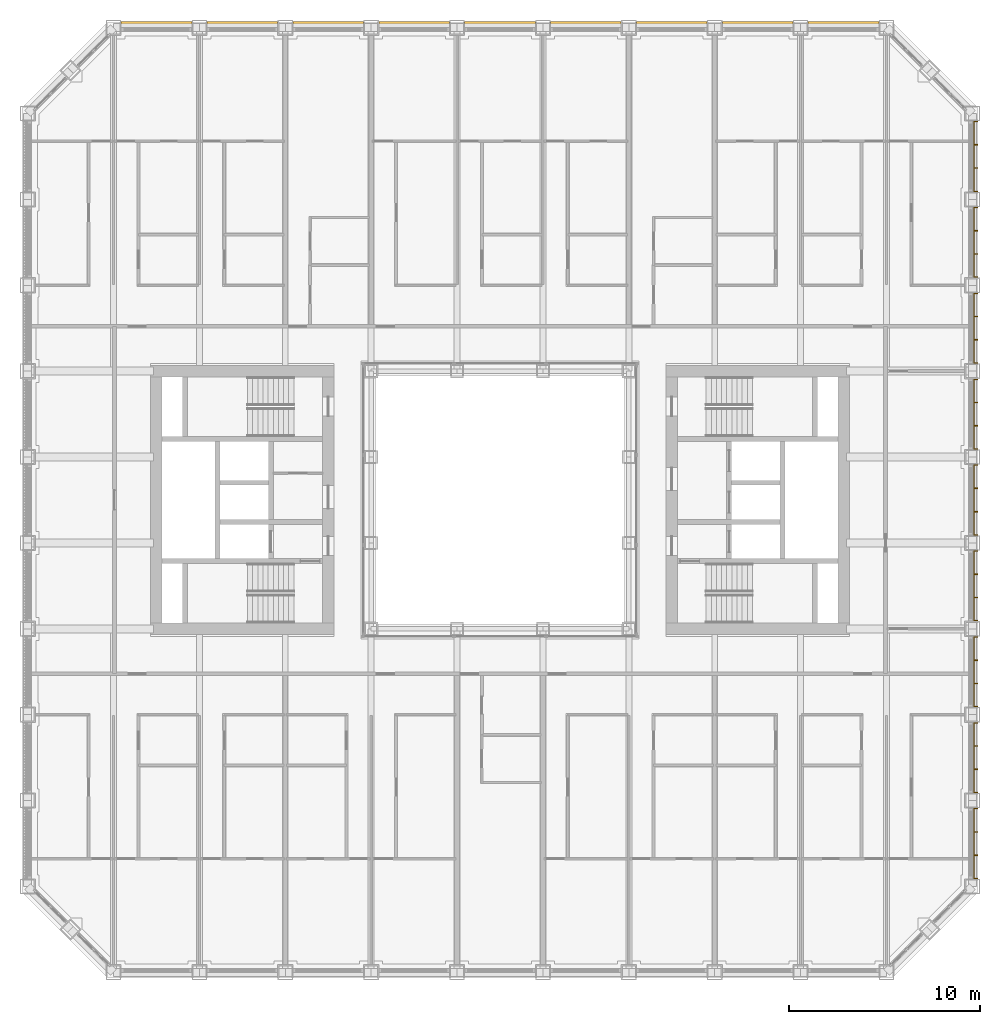
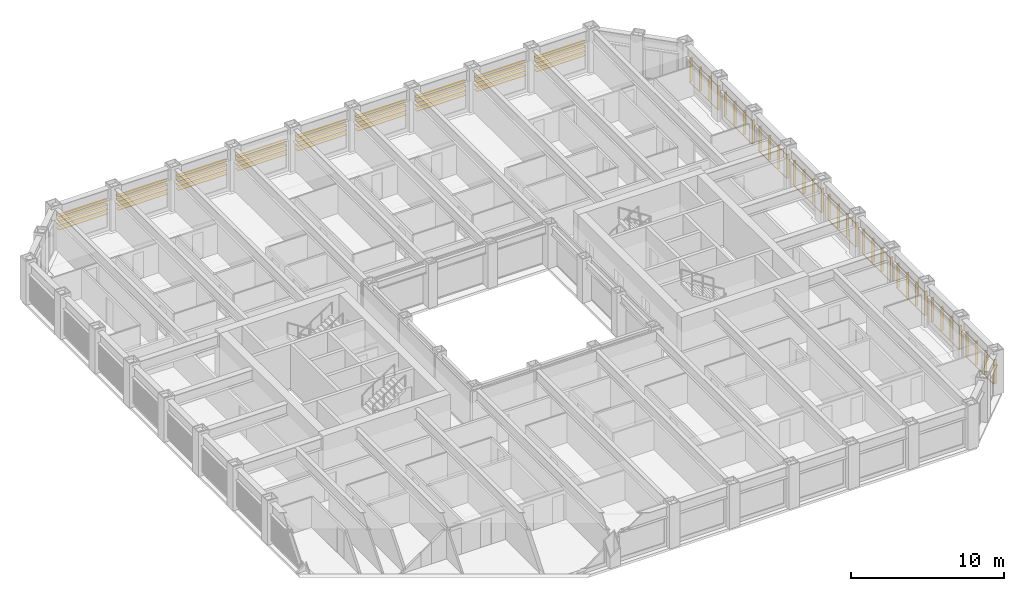
# One storey, part 20 of 20: 2 shading devices.
"""IFC4 building model written with IfcOpenShell, lengths in metres."""

from ifc_helpers import new_model, si_unit, direction, frame, origin, origin_2d, place, context, subcontext, project, spatial, rectangle, extrude, material, type_object, element, save


model = new_model("IFC4")

# Units and contexts
model_context = context("Model", 3, precision=1e-05, world=origin(), true_north=direction((0.0, 1.0)))
body_context = subcontext(model_context, "Body", "Model", "MODEL_VIEW")
ifc_project = project(units=[si_unit("LENGTHUNIT", "METRE"), si_unit("AREAUNIT", "SQUARE_METRE"), si_unit("VOLUMEUNIT", "CUBIC_METRE"), si_unit("PLANEANGLEUNIT", "RADIAN"), si_unit("MASSUNIT", "GRAM", prefix="KILO")], contexts=[model_context])

# Site, building, storey
site_placement = place(None, origin())
site = spatial("IfcSite", under=ifc_project, at=site_placement, CompositionType="ELEMENT")
building_placement = place(site_placement, origin())
building = spatial("IfcBuilding", under=site, at=building_placement, Name="Msasa Ring Tower", CompositionType="ELEMENT")
storey_placement = place(building_placement, frame((0.0, 0.0, 58.0)))
storey = spatial("IfcBuildingStorey", under=building, at=storey_placement, Name="L14", CompositionType="ELEMENT", Elevation=58.0)

# Shading devices
ifc_material_1 = material(Name="Extruded terracotta on aluminium carriers", Category="masonry")
shading_device_type_1 = type_object("IfcShadingDeviceType", Name="BS2 TERRACOTTA FIN SCREEN 40x200 AT 1350", PredefinedType="USERDEFINED", material=ifc_material_1)
shading_device_1_placement = place(storey_placement, origin())
element("IfcShadingDevice", 1, at=shading_device_1_placement, inside=storey, type_object=shading_device_type_1, Name="Terracotta fin screen E L14", ObjectType="BAGUETTE", PredefinedType="USERDEFINED", context=body_context, shape_type="SweptSolid", body=[
    extrude(rectangle(XDim=0.06005859375, YDim=0.0400390625, at=origin_2d()), frame((24.830078125, -19.85009765625, 0.330078125), z_axis=(0.0, 1.0, 0.0), x_axis=(0.0, 0.0, 1.0)), (0.0, 0.0, 1.0), 3.699951171875),
    extrude(rectangle(XDim=0.06005859375, YDim=0.0400390625, at=origin_2d()), frame((24.830078125, -19.85009765625, 2.198974609375), z_axis=(0.0, 1.0, 0.0), x_axis=(0.0, 0.0, 1.0)), (0.0, 0.0, 1.0), 3.699951171875),
    extrude(rectangle(XDim=0.0400390625, YDim=0.199951171875, at=origin_2d()), frame((24.945068359375, -19.830078125, 0.300048828125), z_axis=(0.0, 0.0, 1.0), x_axis=(0.0, 1.0, 0.0)), (0.0, 0.0, 1.0), 1.928955078125),
    extrude(rectangle(XDim=0.0400390625, YDim=0.199951171875, at=origin_2d()), frame((24.945068359375, -18.610107421875, 0.300048828125), z_axis=(0.0, 0.0, 1.0), x_axis=(0.0, 1.0, 0.0)), (0.0, 0.0, 1.0), 1.928955078125),
    extrude(rectangle(XDim=0.0400390625, YDim=0.199951171875, at=origin_2d()), frame((24.945068359375, -17.389892578125, 0.300048828125), z_axis=(0.0, 0.0, 1.0), x_axis=(0.0, 1.0, 0.0)), (0.0, 0.0, 1.0), 1.928955078125),
    extrude(rectangle(XDim=0.0400390625, YDim=0.199951171875, at=origin_2d()), frame((24.945068359375, -16.169921875, 0.300048828125), z_axis=(0.0, 0.0, 1.0), x_axis=(0.0, 1.0, 0.0)), (0.0, 0.0, 1.0), 1.928955078125),
    extrude(rectangle(XDim=0.06005859375, YDim=0.0400390625, at=origin_2d()), frame((24.830078125, -15.35009765625, 0.330078125), z_axis=(0.0, 1.0, 0.0), x_axis=(0.0, 0.0, 1.0)), (0.0, 0.0, 1.0), 3.699951171875),
    extrude(rectangle(XDim=0.06005859375, YDim=0.0400390625, at=origin_2d()), frame((24.830078125, -15.35009765625, 2.198974609375), z_axis=(0.0, 1.0, 0.0), x_axis=(0.0, 0.0, 1.0)), (0.0, 0.0, 1.0), 3.699951171875),
    extrude(rectangle(XDim=0.0400390625, YDim=0.199951171875, at=origin_2d()), frame((24.945068359375, -15.330078125, 0.300048828125), z_axis=(0.0, 0.0, 1.0), x_axis=(0.0, 1.0, 0.0)), (0.0, 0.0, 1.0), 1.928955078125),
    extrude(rectangle(XDim=0.0400390625, YDim=0.199951171875, at=origin_2d()), frame((24.945068359375, -14.110107421875, 0.300048828125), z_axis=(0.0, 0.0, 1.0), x_axis=(0.0, 1.0, 0.0)), (0.0, 0.0, 1.0), 1.928955078125),
    extrude(rectangle(XDim=0.0400390625, YDim=0.199951171875, at=origin_2d()), frame((24.945068359375, -12.889892578125, 0.300048828125), z_axis=(0.0, 0.0, 1.0), x_axis=(0.0, 1.0, 0.0)), (0.0, 0.0, 1.0), 1.928955078125),
    extrude(rectangle(XDim=0.0400390625, YDim=0.199951171875, at=origin_2d()), frame((24.945068359375, -11.669921875, 0.300048828125), z_axis=(0.0, 0.0, 1.0), x_axis=(0.0, 1.0, 0.0)), (0.0, 0.0, 1.0), 1.928955078125),
    extrude(rectangle(XDim=0.06005859375, YDim=0.0400390625, at=origin_2d()), frame((24.830078125, -10.85009765625, 0.330078125), z_axis=(0.0, 1.0, 0.0), x_axis=(0.0, 0.0, 1.0)), (0.0, 0.0, 1.0), 3.699951171875),
    extrude(rectangle(XDim=0.06005859375, YDim=0.0400390625, at=origin_2d()), frame((24.830078125, -10.85009765625, 2.198974609375), z_axis=(0.0, 1.0, 0.0), x_axis=(0.0, 0.0, 1.0)), (0.0, 0.0, 1.0), 3.699951171875),
    extrude(rectangle(XDim=0.0400390625, YDim=0.199951171875, at=origin_2d()), frame((24.945068359375, -10.830078125, 0.300048828125), z_axis=(0.0, 0.0, 1.0), x_axis=(0.0, 1.0, 0.0)), (0.0, 0.0, 1.0), 1.928955078125),
    extrude(rectangle(XDim=0.0400390625, YDim=0.199951171875, at=origin_2d()), frame((24.945068359375, -9.610107421875, 0.300048828125), z_axis=(0.0, 0.0, 1.0), x_axis=(0.0, 1.0, 0.0)), (0.0, 0.0, 1.0), 1.928955078125),
    extrude(rectangle(XDim=0.0400390625, YDim=0.199951171875, at=origin_2d()), frame((24.945068359375, -8.389892578125, 0.300048828125), z_axis=(0.0, 0.0, 1.0), x_axis=(0.0, 1.0, 0.0)), (0.0, 0.0, 1.0), 1.928955078125),
    extrude(rectangle(XDim=0.0400390625, YDim=0.199951171875, at=origin_2d()), frame((24.945068359375, -7.169921875, 0.300048828125), z_axis=(0.0, 0.0, 1.0), x_axis=(0.0, 1.0, 0.0)), (0.0, 0.0, 1.0), 1.928955078125),
    extrude(rectangle(XDim=0.06005859375, YDim=0.0400390625, at=origin_2d()), frame((24.830078125, -6.35009765625, 0.330078125), z_axis=(0.0, 1.0, 0.0), x_axis=(0.0, 0.0, 1.0)), (0.0, 0.0, 1.0), 3.699951171875),
    extrude(rectangle(XDim=0.06005859375, YDim=0.0400390625, at=origin_2d()), frame((24.830078125, -6.35009765625, 2.198974609375), z_axis=(0.0, 1.0, 0.0), x_axis=(0.0, 0.0, 1.0)), (0.0, 0.0, 1.0), 3.699951171875),
    extrude(rectangle(XDim=0.0400390625, YDim=0.199951171875, at=origin_2d()), frame((24.945068359375, -6.330078125, 0.300048828125), z_axis=(0.0, 0.0, 1.0), x_axis=(0.0, 1.0, 0.0)), (0.0, 0.0, 1.0), 1.928955078125),
    extrude(rectangle(XDim=0.0400390625, YDim=0.199951171875, at=origin_2d()), frame((24.945068359375, -5.110107421875, 0.300048828125), z_axis=(0.0, 0.0, 1.0), x_axis=(0.0, 1.0, 0.0)), (0.0, 0.0, 1.0), 1.928955078125),
    extrude(rectangle(XDim=0.0400390625, YDim=0.199951171875, at=origin_2d()), frame((24.945068359375, -3.889892578125, 0.300048828125), z_axis=(0.0, 0.0, 1.0), x_axis=(0.0, 1.0, 0.0)), (0.0, 0.0, 1.0), 1.928955078125),
    extrude(rectangle(XDim=0.0400390625, YDim=0.199951171875, at=origin_2d()), frame((24.945068359375, -2.669921875, 0.300048828125), z_axis=(0.0, 0.0, 1.0), x_axis=(0.0, 1.0, 0.0)), (0.0, 0.0, 1.0), 1.928955078125),
    extrude(rectangle(XDim=0.06005859375, YDim=0.0400390625, at=origin_2d()), frame((24.830078125, -1.85009765625, 0.330078125), z_axis=(0.0, 1.0, 0.0), x_axis=(0.0, 0.0, 1.0)), (0.0, 0.0, 1.0), 3.699951171875),
    extrude(rectangle(XDim=0.06005859375, YDim=0.0400390625, at=origin_2d()), frame((24.830078125, -1.85009765625, 2.198974609375), z_axis=(0.0, 1.0, 0.0), x_axis=(0.0, 0.0, 1.0)), (0.0, 0.0, 1.0), 3.699951171875),
    extrude(rectangle(XDim=0.0400390625, YDim=0.199951171875, at=origin_2d()), frame((24.945068359375, -1.830078125, 0.300048828125), z_axis=(0.0, 0.0, 1.0), x_axis=(0.0, 1.0, 0.0)), (0.0, 0.0, 1.0), 1.928955078125),
    extrude(rectangle(XDim=0.0400390625, YDim=0.199951171875, at=origin_2d()), frame((24.945068359375, -0.610107421875, 0.300048828125), z_axis=(0.0, 0.0, 1.0), x_axis=(0.0, 1.0, 0.0)), (0.0, 0.0, 1.0), 1.928955078125),
    extrude(rectangle(XDim=0.0400390625, YDim=0.199951171875, at=origin_2d()), frame((24.945068359375, 0.610107421875, 0.300048828125), z_axis=(0.0, 0.0, 1.0), x_axis=(0.0, 1.0, 0.0)), (0.0, 0.0, 1.0), 1.928955078125),
    extrude(rectangle(XDim=0.0400390625, YDim=0.199951171875, at=origin_2d()), frame((24.945068359375, 1.830078125, 0.300048828125), z_axis=(0.0, 0.0, 1.0), x_axis=(0.0, 1.0, 0.0)), (0.0, 0.0, 1.0), 1.928955078125),
    extrude(rectangle(XDim=0.06005859375, YDim=0.0400390625, at=origin_2d()), frame((24.830078125, 2.64990234375, 0.330078125), z_axis=(0.0, 1.0, 0.0), x_axis=(0.0, 0.0, 1.0)), (0.0, 0.0, 1.0), 3.699951171875),
    extrude(rectangle(XDim=0.06005859375, YDim=0.0400390625, at=origin_2d()), frame((24.830078125, 2.64990234375, 2.198974609375), z_axis=(0.0, 1.0, 0.0), x_axis=(0.0, 0.0, 1.0)), (0.0, 0.0, 1.0), 3.699951171875),
    extrude(rectangle(XDim=0.0400390625, YDim=0.199951171875, at=origin_2d()), frame((24.945068359375, 2.669921875, 0.300048828125), z_axis=(0.0, 0.0, 1.0), x_axis=(0.0, 1.0, 0.0)), (0.0, 0.0, 1.0), 1.928955078125),
    extrude(rectangle(XDim=0.0400390625, YDim=0.199951171875, at=origin_2d()), frame((24.945068359375, 3.889892578125, 0.300048828125), z_axis=(0.0, 0.0, 1.0), x_axis=(0.0, 1.0, 0.0)), (0.0, 0.0, 1.0), 1.928955078125),
    extrude(rectangle(XDim=0.0400390625, YDim=0.199951171875, at=origin_2d()), frame((24.945068359375, 5.110107421875, 0.300048828125), z_axis=(0.0, 0.0, 1.0), x_axis=(0.0, 1.0, 0.0)), (0.0, 0.0, 1.0), 1.928955078125),
    extrude(rectangle(XDim=0.0400390625, YDim=0.199951171875, at=origin_2d()), frame((24.945068359375, 6.330078125, 0.300048828125), z_axis=(0.0, 0.0, 1.0), x_axis=(0.0, 1.0, 0.0)), (0.0, 0.0, 1.0), 1.928955078125),
    extrude(rectangle(XDim=0.06005859375, YDim=0.0400390625, at=origin_2d()), frame((24.830078125, 7.14990234375, 0.330078125), z_axis=(0.0, 1.0, 0.0), x_axis=(0.0, 0.0, 1.0)), (0.0, 0.0, 1.0), 3.699951171875),
    extrude(rectangle(XDim=0.06005859375, YDim=0.0400390625, at=origin_2d()), frame((24.830078125, 7.14990234375, 2.198974609375), z_axis=(0.0, 1.0, 0.0), x_axis=(0.0, 0.0, 1.0)), (0.0, 0.0, 1.0), 3.699951171875),
    extrude(rectangle(XDim=0.0400390625, YDim=0.199951171875, at=origin_2d()), frame((24.945068359375, 7.169921875, 0.300048828125), z_axis=(0.0, 0.0, 1.0), x_axis=(0.0, 1.0, 0.0)), (0.0, 0.0, 1.0), 1.928955078125),
    extrude(rectangle(XDim=0.0400390625, YDim=0.199951171875, at=origin_2d()), frame((24.945068359375, 8.389892578125, 0.300048828125), z_axis=(0.0, 0.0, 1.0), x_axis=(0.0, 1.0, 0.0)), (0.0, 0.0, 1.0), 1.928955078125),
    extrude(rectangle(XDim=0.0400390625, YDim=0.199951171875, at=origin_2d()), frame((24.945068359375, 9.610107421875, 0.300048828125), z_axis=(0.0, 0.0, 1.0), x_axis=(0.0, 1.0, 0.0)), (0.0, 0.0, 1.0), 1.928955078125),
    extrude(rectangle(XDim=0.0400390625, YDim=0.199951171875, at=origin_2d()), frame((24.945068359375, 10.830078125, 0.300048828125), z_axis=(0.0, 0.0, 1.0), x_axis=(0.0, 1.0, 0.0)), (0.0, 0.0, 1.0), 1.928955078125),
    extrude(rectangle(XDim=0.06005859375, YDim=0.0400390625, at=origin_2d()), frame((24.830078125, 11.64990234375, 0.330078125), z_axis=(0.0, 1.0, 0.0), x_axis=(0.0, 0.0, 1.0)), (0.0, 0.0, 1.0), 3.699951171875),
    extrude(rectangle(XDim=0.06005859375, YDim=0.0400390625, at=origin_2d()), frame((24.830078125, 11.64990234375, 2.198974609375), z_axis=(0.0, 1.0, 0.0), x_axis=(0.0, 0.0, 1.0)), (0.0, 0.0, 1.0), 3.699951171875),
    extrude(rectangle(XDim=0.0400390625, YDim=0.199951171875, at=origin_2d()), frame((24.945068359375, 11.669921875, 0.300048828125), z_axis=(0.0, 0.0, 1.0), x_axis=(0.0, 1.0, 0.0)), (0.0, 0.0, 1.0), 1.928955078125),
    extrude(rectangle(XDim=0.0400390625, YDim=0.199951171875, at=origin_2d()), frame((24.945068359375, 12.889892578125, 0.300048828125), z_axis=(0.0, 0.0, 1.0), x_axis=(0.0, 1.0, 0.0)), (0.0, 0.0, 1.0), 1.928955078125),
    extrude(rectangle(XDim=0.0400390625, YDim=0.199951171875, at=origin_2d()), frame((24.945068359375, 14.110107421875, 0.300048828125), z_axis=(0.0, 0.0, 1.0), x_axis=(0.0, 1.0, 0.0)), (0.0, 0.0, 1.0), 1.928955078125),
    extrude(rectangle(XDim=0.0400390625, YDim=0.199951171875, at=origin_2d()), frame((24.945068359375, 15.330078125, 0.300048828125), z_axis=(0.0, 0.0, 1.0), x_axis=(0.0, 1.0, 0.0)), (0.0, 0.0, 1.0), 1.928955078125),
    extrude(rectangle(XDim=0.06005859375, YDim=0.0400390625, at=origin_2d()), frame((24.830078125, 16.14990234375, 0.330078125), z_axis=(0.0, 1.0, 0.0), x_axis=(0.0, 0.0, 1.0)), (0.0, 0.0, 1.0), 3.699951171875),
    extrude(rectangle(XDim=0.06005859375, YDim=0.0400390625, at=origin_2d()), frame((24.830078125, 16.14990234375, 2.198974609375), z_axis=(0.0, 1.0, 0.0), x_axis=(0.0, 0.0, 1.0)), (0.0, 0.0, 1.0), 3.699951171875),
    extrude(rectangle(XDim=0.0400390625, YDim=0.199951171875, at=origin_2d()), frame((24.945068359375, 16.169921875, 0.300048828125), z_axis=(0.0, 0.0, 1.0), x_axis=(0.0, 1.0, 0.0)), (0.0, 0.0, 1.0), 1.928955078125),
    extrude(rectangle(XDim=0.0400390625, YDim=0.199951171875, at=origin_2d()), frame((24.945068359375, 17.389892578125, 0.300048828125), z_axis=(0.0, 0.0, 1.0), x_axis=(0.0, 1.0, 0.0)), (0.0, 0.0, 1.0), 1.928955078125),
    extrude(rectangle(XDim=0.0400390625, YDim=0.199951171875, at=origin_2d()), frame((24.945068359375, 18.610107421875, 0.300048828125), z_axis=(0.0, 0.0, 1.0), x_axis=(0.0, 1.0, 0.0)), (0.0, 0.0, 1.0), 1.928955078125),
    extrude(rectangle(XDim=0.0400390625, YDim=0.199951171875, at=origin_2d()), frame((24.945068359375, 19.830078125, 0.300048828125), z_axis=(0.0, 0.0, 1.0), x_axis=(0.0, 1.0, 0.0)), (0.0, 0.0, 1.0), 1.928955078125),
])
ifc_material_2 = material(Name="Extruded terracotta blades", Category="masonry")
shading_device_type_2 = type_object("IfcShadingDeviceType", Name="SS1 TERRACOTTA SUNSHADE 4 BLADES 300x40 AT 350", PredefinedType="USERDEFINED", material=ifc_material_2)
shading_device_2_placement = place(storey_placement, origin())
element("IfcShadingDevice", 2, at=shading_device_2_placement, inside=storey, type_object=shading_device_type_2, Name="Terracotta sunshade N L14", ObjectType="SUNSHADE", PredefinedType="USERDEFINED", context=body_context, shape_type="SweptSolid", body=[
    extrude(rectangle(XDim=0.0400390625, YDim=0.300048828125, at=origin_2d()), frame((-19.85009765625, 24.929931640625, 2.208984375), z_axis=(1.0, 0.0, 0.0), x_axis=(0.0, 0.0, 1.0)), (0.0, 0.0, 1.0), 3.699951171875),
    extrude(rectangle(XDim=0.0400390625, YDim=0.300048828125, at=origin_2d()), frame((-19.85009765625, 24.929931640625, 1.85888671875), z_axis=(1.0, 0.0, 0.0), x_axis=(0.0, 0.0, 1.0)), (0.0, 0.0, 1.0), 3.699951171875),
    extrude(rectangle(XDim=0.0400390625, YDim=0.300048828125, at=origin_2d()), frame((-19.85009765625, 24.929931640625, 1.509033203125), z_axis=(1.0, 0.0, 0.0), x_axis=(0.0, 0.0, 1.0)), (0.0, 0.0, 1.0), 3.699951171875),
    extrude(rectangle(XDim=0.0400390625, YDim=0.300048828125, at=origin_2d()), frame((-19.85009765625, 24.929931640625, 1.158935546875), z_axis=(1.0, 0.0, 0.0), x_axis=(0.0, 0.0, 1.0)), (0.0, 0.0, 1.0), 3.699951171875),
    extrude(rectangle(XDim=0.0400390625, YDim=0.300048828125, at=origin_2d()), frame((-15.35009765625, 24.929931640625, 2.208984375), z_axis=(1.0, 0.0, 0.0), x_axis=(0.0, 0.0, 1.0)), (0.0, 0.0, 1.0), 3.699951171875),
    extrude(rectangle(XDim=0.0400390625, YDim=0.300048828125, at=origin_2d()), frame((-15.35009765625, 24.929931640625, 1.85888671875), z_axis=(1.0, 0.0, 0.0), x_axis=(0.0, 0.0, 1.0)), (0.0, 0.0, 1.0), 3.699951171875),
    extrude(rectangle(XDim=0.0400390625, YDim=0.300048828125, at=origin_2d()), frame((-15.35009765625, 24.929931640625, 1.509033203125), z_axis=(1.0, 0.0, 0.0), x_axis=(0.0, 0.0, 1.0)), (0.0, 0.0, 1.0), 3.699951171875),
    extrude(rectangle(XDim=0.0400390625, YDim=0.300048828125, at=origin_2d()), frame((-15.35009765625, 24.929931640625, 1.158935546875), z_axis=(1.0, 0.0, 0.0), x_axis=(0.0, 0.0, 1.0)), (0.0, 0.0, 1.0), 3.699951171875),
    extrude(rectangle(XDim=0.0400390625, YDim=0.300048828125, at=origin_2d()), frame((-10.85009765625, 24.929931640625, 2.208984375), z_axis=(1.0, 0.0, 0.0), x_axis=(0.0, 0.0, 1.0)), (0.0, 0.0, 1.0), 3.699951171875),
    extrude(rectangle(XDim=0.0400390625, YDim=0.300048828125, at=origin_2d()), frame((-10.85009765625, 24.929931640625, 1.85888671875), z_axis=(1.0, 0.0, 0.0), x_axis=(0.0, 0.0, 1.0)), (0.0, 0.0, 1.0), 3.699951171875),
    extrude(rectangle(XDim=0.0400390625, YDim=0.300048828125, at=origin_2d()), frame((-10.85009765625, 24.929931640625, 1.509033203125), z_axis=(1.0, 0.0, 0.0), x_axis=(0.0, 0.0, 1.0)), (0.0, 0.0, 1.0), 3.699951171875),
    extrude(rectangle(XDim=0.0400390625, YDim=0.300048828125, at=origin_2d()), frame((-10.85009765625, 24.929931640625, 1.158935546875), z_axis=(1.0, 0.0, 0.0), x_axis=(0.0, 0.0, 1.0)), (0.0, 0.0, 1.0), 3.699951171875),
    extrude(rectangle(XDim=0.0400390625, YDim=0.300048828125, at=origin_2d()), frame((-6.35009765625, 24.929931640625, 2.208984375), z_axis=(1.0, 0.0, 0.0), x_axis=(0.0, 0.0, 1.0)), (0.0, 0.0, 1.0), 3.699951171875),
    extrude(rectangle(XDim=0.0400390625, YDim=0.300048828125, at=origin_2d()), frame((-6.35009765625, 24.929931640625, 1.85888671875), z_axis=(1.0, 0.0, 0.0), x_axis=(0.0, 0.0, 1.0)), (0.0, 0.0, 1.0), 3.699951171875),
    extrude(rectangle(XDim=0.0400390625, YDim=0.300048828125, at=origin_2d()), frame((-6.35009765625, 24.929931640625, 1.509033203125), z_axis=(1.0, 0.0, 0.0), x_axis=(0.0, 0.0, 1.0)), (0.0, 0.0, 1.0), 3.699951171875),
    extrude(rectangle(XDim=0.0400390625, YDim=0.300048828125, at=origin_2d()), frame((-6.35009765625, 24.929931640625, 1.158935546875), z_axis=(1.0, 0.0, 0.0), x_axis=(0.0, 0.0, 1.0)), (0.0, 0.0, 1.0), 3.699951171875),
    extrude(rectangle(XDim=0.0400390625, YDim=0.300048828125, at=origin_2d()), frame((-1.85009765625, 24.929931640625, 2.208984375), z_axis=(1.0, 0.0, 0.0), x_axis=(0.0, 0.0, 1.0)), (0.0, 0.0, 1.0), 3.699951171875),
    extrude(rectangle(XDim=0.0400390625, YDim=0.300048828125, at=origin_2d()), frame((-1.85009765625, 24.929931640625, 1.85888671875), z_axis=(1.0, 0.0, 0.0), x_axis=(0.0, 0.0, 1.0)), (0.0, 0.0, 1.0), 3.699951171875),
    extrude(rectangle(XDim=0.0400390625, YDim=0.300048828125, at=origin_2d()), frame((-1.85009765625, 24.929931640625, 1.509033203125), z_axis=(1.0, 0.0, 0.0), x_axis=(0.0, 0.0, 1.0)), (0.0, 0.0, 1.0), 3.699951171875),
    extrude(rectangle(XDim=0.0400390625, YDim=0.300048828125, at=origin_2d()), frame((-1.85009765625, 24.929931640625, 1.158935546875), z_axis=(1.0, 0.0, 0.0), x_axis=(0.0, 0.0, 1.0)), (0.0, 0.0, 1.0), 3.699951171875),
    extrude(rectangle(XDim=0.0400390625, YDim=0.300048828125, at=origin_2d()), frame((2.64990234375, 24.929931640625, 2.208984375), z_axis=(1.0, 0.0, 0.0), x_axis=(0.0, 0.0, 1.0)), (0.0, 0.0, 1.0), 3.699951171875),
    extrude(rectangle(XDim=0.0400390625, YDim=0.300048828125, at=origin_2d()), frame((2.64990234375, 24.929931640625, 1.85888671875), z_axis=(1.0, 0.0, 0.0), x_axis=(0.0, 0.0, 1.0)), (0.0, 0.0, 1.0), 3.699951171875),
    extrude(rectangle(XDim=0.0400390625, YDim=0.300048828125, at=origin_2d()), frame((2.64990234375, 24.929931640625, 1.509033203125), z_axis=(1.0, 0.0, 0.0), x_axis=(0.0, 0.0, 1.0)), (0.0, 0.0, 1.0), 3.699951171875),
    extrude(rectangle(XDim=0.0400390625, YDim=0.300048828125, at=origin_2d()), frame((2.64990234375, 24.929931640625, 1.158935546875), z_axis=(1.0, 0.0, 0.0), x_axis=(0.0, 0.0, 1.0)), (0.0, 0.0, 1.0), 3.699951171875),
    extrude(rectangle(XDim=0.0400390625, YDim=0.300048828125, at=origin_2d()), frame((7.14990234375, 24.929931640625, 2.208984375), z_axis=(1.0, 0.0, 0.0), x_axis=(0.0, 0.0, 1.0)), (0.0, 0.0, 1.0), 3.699951171875),
    extrude(rectangle(XDim=0.0400390625, YDim=0.300048828125, at=origin_2d()), frame((7.14990234375, 24.929931640625, 1.85888671875), z_axis=(1.0, 0.0, 0.0), x_axis=(0.0, 0.0, 1.0)), (0.0, 0.0, 1.0), 3.699951171875),
    extrude(rectangle(XDim=0.0400390625, YDim=0.300048828125, at=origin_2d()), frame((7.14990234375, 24.929931640625, 1.509033203125), z_axis=(1.0, 0.0, 0.0), x_axis=(0.0, 0.0, 1.0)), (0.0, 0.0, 1.0), 3.699951171875),
    extrude(rectangle(XDim=0.0400390625, YDim=0.300048828125, at=origin_2d()), frame((7.14990234375, 24.929931640625, 1.158935546875), z_axis=(1.0, 0.0, 0.0), x_axis=(0.0, 0.0, 1.0)), (0.0, 0.0, 1.0), 3.699951171875),
    extrude(rectangle(XDim=0.0400390625, YDim=0.300048828125, at=origin_2d()), frame((11.64990234375, 24.929931640625, 2.208984375), z_axis=(1.0, 0.0, 0.0), x_axis=(0.0, 0.0, 1.0)), (0.0, 0.0, 1.0), 3.699951171875),
    extrude(rectangle(XDim=0.0400390625, YDim=0.300048828125, at=origin_2d()), frame((11.64990234375, 24.929931640625, 1.85888671875), z_axis=(1.0, 0.0, 0.0), x_axis=(0.0, 0.0, 1.0)), (0.0, 0.0, 1.0), 3.699951171875),
    extrude(rectangle(XDim=0.0400390625, YDim=0.300048828125, at=origin_2d()), frame((11.64990234375, 24.929931640625, 1.509033203125), z_axis=(1.0, 0.0, 0.0), x_axis=(0.0, 0.0, 1.0)), (0.0, 0.0, 1.0), 3.699951171875),
    extrude(rectangle(XDim=0.0400390625, YDim=0.300048828125, at=origin_2d()), frame((11.64990234375, 24.929931640625, 1.158935546875), z_axis=(1.0, 0.0, 0.0), x_axis=(0.0, 0.0, 1.0)), (0.0, 0.0, 1.0), 3.699951171875),
    extrude(rectangle(XDim=0.0400390625, YDim=0.300048828125, at=origin_2d()), frame((16.14990234375, 24.929931640625, 2.208984375), z_axis=(1.0, 0.0, 0.0), x_axis=(0.0, 0.0, 1.0)), (0.0, 0.0, 1.0), 3.699951171875),
    extrude(rectangle(XDim=0.0400390625, YDim=0.300048828125, at=origin_2d()), frame((16.14990234375, 24.929931640625, 1.85888671875), z_axis=(1.0, 0.0, 0.0), x_axis=(0.0, 0.0, 1.0)), (0.0, 0.0, 1.0), 3.699951171875),
    extrude(rectangle(XDim=0.0400390625, YDim=0.300048828125, at=origin_2d()), frame((16.14990234375, 24.929931640625, 1.509033203125), z_axis=(1.0, 0.0, 0.0), x_axis=(0.0, 0.0, 1.0)), (0.0, 0.0, 1.0), 3.699951171875),
    extrude(rectangle(XDim=0.0400390625, YDim=0.300048828125, at=origin_2d()), frame((16.14990234375, 24.929931640625, 1.158935546875), z_axis=(1.0, 0.0, 0.0), x_axis=(0.0, 0.0, 1.0)), (0.0, 0.0, 1.0), 3.699951171875),
])

save(model, "model.ifc")
